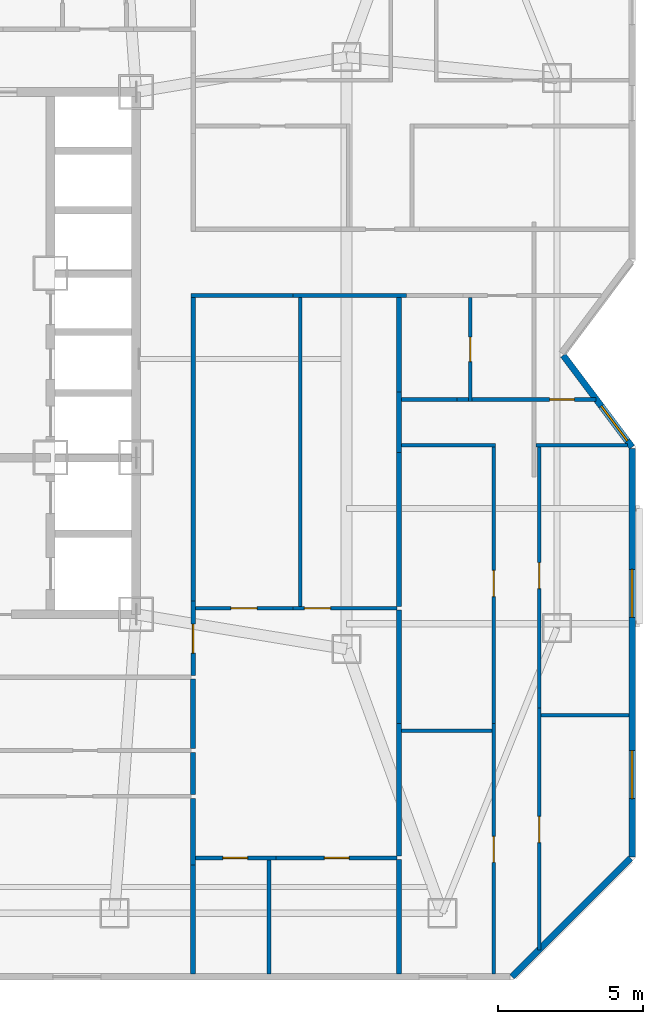
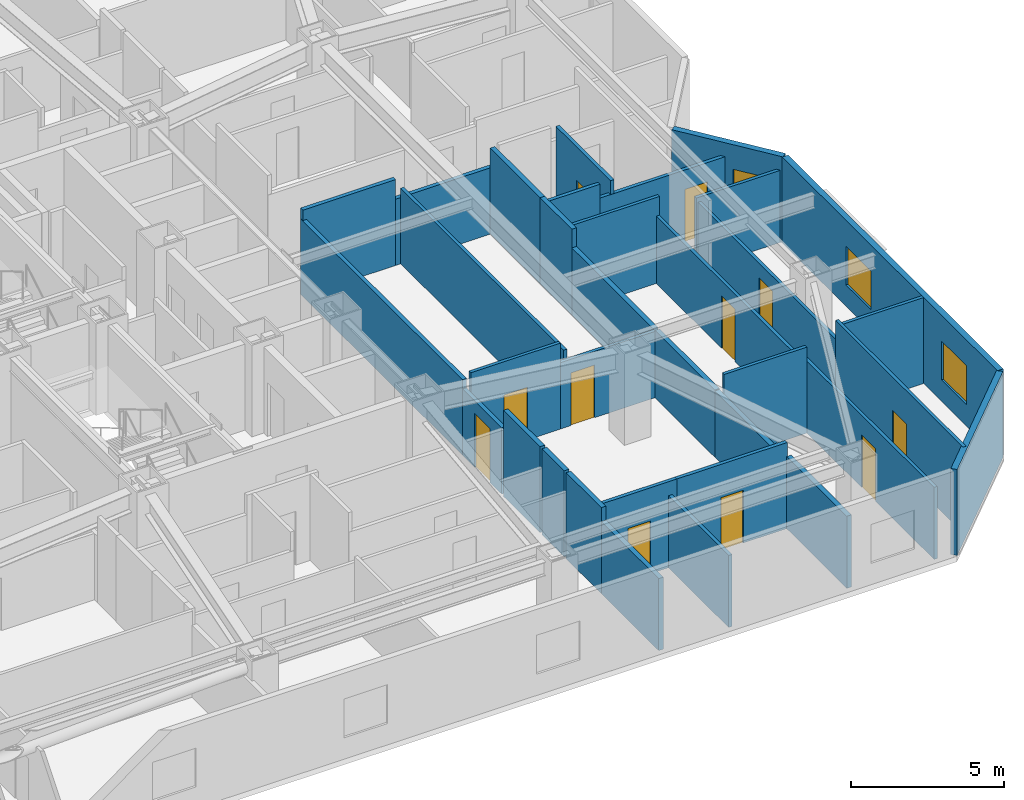
# One storey, part 14 of 19: 34 walls, 11 doors, 3 windows, 14 openings.
"""IFC4 building model written with IfcOpenShell, lengths in metres."""

from ifc_helpers import new_model, si_unit, direction, frame, frame_2d, origin, place, context, subcontext, project, spatial, rectangle, extrude, material, layer, layer_set, type_object, element, fill, save


model = new_model("IFC4")

# Units and contexts
model_context = context("Model", 3, precision=1e-05, world=origin(), true_north=direction((0.0, 1.0)))
body_context = subcontext(model_context, "Body", "Model", "MODEL_VIEW")
ifc_project = project(units=[si_unit("LENGTHUNIT", "METRE"), si_unit("AREAUNIT", "SQUARE_METRE"), si_unit("VOLUMEUNIT", "CUBIC_METRE"), si_unit("PLANEANGLEUNIT", "RADIAN"), si_unit("MASSUNIT", "GRAM", prefix="KILO")], contexts=[model_context])

# Site, building, storey
site_placement = place(None, origin())
site = spatial("IfcSite", under=ifc_project, at=site_placement, CompositionType="ELEMENT")
building_placement = place(site_placement, origin())
building = spatial("IfcBuilding", under=site, at=building_placement, Name="Khamvora Tower", CompositionType="ELEMENT")
storey_placement = place(building_placement, frame((0.0, 0.0, 120.14990234375)))
storey = spatial("IfcBuildingStorey", under=building, at=storey_placement, Name="L30", CompositionType="ELEMENT", Elevation=120.14990234375)

# Wall, opening, door
ifc_material_1 = material(Name="Fire-Rated Drywall and Steel Stud", Category="steel")
ifc_layer_1 = layer(ifc_material_1, 0.14990234375)
ifc_layer_set_1 = layer_set([ifc_layer_1], Name="Fire-Rated Drywall and Steel Stud")
wall_type_1 = type_object("IfcWallType", Name="WAL-CORR-150", PredefinedType="STANDARD", material=ifc_layer_set_1)
wall_1_placement = place(storey_placement, frame((41.364990234375, 19.458984375, 0.0), z_axis=(0.0, 0.0, 1.0), x_axis=(0.0, -1.0, 0.0)))
wall_1 = element("IfcWall", 1, at=wall_1_placement, inside=storey, type_object=wall_type_1, Name="L30 interior partition wall 030", PredefinedType="STANDARD", context=body_context, shape_type="SweptSolid", body=[
    extrude(rectangle(XDim=2.55908203125, YDim=0.14990234375, at=frame_2d((1.279541015625, 0.0))), origin(), (0.0, 0.0, 1.0), 2.647216796875),
])
opening_1_placement = place(wall_1_placement, frame((0.800048828125, 0.0, 0.0)))
opening_1 = element("IfcOpeningElement", 2, at=opening_1_placement, cuts=wall_1, Name="Opening D-U1", PredefinedType="OPENING", context=body_context, shape_type="SweptSolid", body=[
    extrude(rectangle(XDim=1.0, YDim=2.14990234375, at=frame_2d((0.5, 1.074951171875))), frame((0.0, 0.0849609375, 0.0), z_axis=(0.0, -1.0, 0.0), x_axis=(1.0, 0.0, 0.0)), (0.0, 0.0, 1.0), 0.169921875),
])
ifc_material_2 = material(Name="Powder-Coated Steel and Hardwood Leaf", Category="steel")
door_type_1 = type_object("IfcDoorType", Name="DOR-UNIT-1000", OperationType="NOTDEFINED", PredefinedType="DOOR", material=ifc_material_2)
door_1_placement = place(opening_1_placement, origin())
door_1 = element("IfcDoor", 3, at=door_1_placement, inside=storey, type_object=door_type_1, Name="L30 interior door COR-30EAH", OperationType="SINGLE_SWING_LEFT", OverallHeight=2.14990234375, OverallWidth=1.0, PredefinedType="DOOR", context=body_context, shape_type="SweptSolid", body=[
    extrude(rectangle(XDim=1.0, YDim=2.14990234375, at=frame_2d((0.5, 1.074951171875))), frame((0.0, 0.02490234375, 0.0), z_axis=(0.0, -1.0, 0.0), x_axis=(1.0, 0.0, 0.0)), (0.0, 0.0, 1.0), 0.050048828125),
])
fill(opening_1, door_1)

# Walls
wall_2_placement = place(storey_placement, frame((48.708984375, 29.985107421875, 0.0), z_axis=(0.0, 0.0, 1.0), x_axis=(-1.0, 0.0, 0.0)))
element("IfcWall", 4, at=wall_2_placement, inside=storey, type_object=wall_type_1, Name="L30 interior partition wall 031", PredefinedType="STANDARD", context=body_context, shape_type="SweptSolid", body=[
    extrude(rectangle(XDim=3.906005859375, YDim=0.14990234375, at=frame_2d((1.953125, 0.0))), origin(), (0.0, 0.0, 1.0), 2.647216796875),
])
wall_3_placement = place(storey_placement, frame((44.802978515625, 29.985107421875, 0.0), z_axis=(0.0, 0.0, 1.0), x_axis=(-1.0, 0.0, 0.0)))
element("IfcWall", 5, at=wall_3_placement, inside=storey, type_object=wall_type_1, Name="L30 interior partition wall 032", PredefinedType="STANDARD", context=body_context, shape_type="SweptSolid", body=[
    extrude(rectangle(XDim=3.5029296875, YDim=0.14990234375, at=frame_2d((1.75146484375, 0.0))), origin(), (0.0, 0.0, 1.0), 3.43017578125),
])
wall_4_placement = place(storey_placement, frame((41.364990234375, 30.050048828125, 0.0), z_axis=(0.0, 0.0, 1.0), x_axis=(0.0, -1.0, 0.0)))
element("IfcWall", 6, at=wall_4_placement, inside=storey, type_object=wall_type_1, Name="L30 interior partition wall 033", PredefinedType="STANDARD", context=body_context, shape_type="SweptSolid", body=[
    extrude(rectangle(XDim=10.591064453125, YDim=0.14990234375, at=frame_2d((5.29541015625, 0.0))), origin(), (0.0, 0.0, 1.0), 3.01318359375),
])
ifc_material_3 = material(Name="Acoustic Double-Stud Fire Wall", Category="gypsum")
ifc_layer_2 = layer(ifc_material_3, 0.179931640625)
ifc_layer_set_2 = layer_set([ifc_layer_2], Name="Acoustic Double-Stud Fire Wall")
wall_type_2 = type_object("IfcWallType", Name="WAL-CORR-180", PredefinedType="STANDARD", material=ifc_layer_set_2)
wall_5_placement = place(storey_placement, frame((41.364990234375, 14.239990234375, 0.0), z_axis=(0.0, 0.0, 1.0), x_axis=(0.0, -1.0, 0.0)))
element("IfcWall", 7, at=wall_5_placement, inside=storey, type_object=wall_type_2, Name="L30 interior partition wall 105", PredefinedType="STANDARD", context=body_context, shape_type="SweptSolid", body=[
    extrude(rectangle(XDim=1.449951171875, YDim=0.179931640625, at=frame_2d((0.72509765625, 0.0))), origin(), (0.0, 0.0, 1.0), 3.43017578125),
])
wall_6_placement = place(storey_placement, frame((41.364990234375, 16.77001953125, 0.0), z_axis=(0.0, 0.0, 1.0), x_axis=(0.0, -1.0, 0.0)))
element("IfcWall", 8, at=wall_6_placement, inside=storey, type_object=wall_type_2, Name="L30 interior partition wall 106", PredefinedType="STANDARD", context=body_context, shape_type="SweptSolid", body=[
    extrude(rectangle(XDim=2.39990234375, YDim=0.179931640625, at=frame_2d((1.199951171875, 0.0))), origin(), (0.0, 0.0, 1.0), 3.43017578125),
])
wall_7_placement = place(storey_placement, frame((41.364990234375, 12.659912109375, 0.0), z_axis=(0.0, 0.0, 1.0), x_axis=(0.0, -1.0, 0.0)))
element("IfcWall", 9, at=wall_7_placement, inside=storey, type_object=wall_type_2, Name="L30 interior partition wall 108", PredefinedType="STANDARD", context=body_context, shape_type="SweptSolid", body=[
    extrude(rectangle(XDim=2.298828125, YDim=0.179931640625, at=frame_2d((1.1494140625, 0.0))), origin(), (0.0, 0.0, 1.0), 3.43017578125),
])
wall_8_placement = place(storey_placement, frame((41.364990234375, 10.361083984375, 0.0), z_axis=(0.0, 0.0, 1.0), x_axis=(0.0, -1.0, 0.0)))
element("IfcWall", 10, at=wall_8_placement, inside=storey, type_object=wall_type_2, Name="L30 interior partition wall 109", PredefinedType="STANDARD", context=body_context, shape_type="SweptSolid", body=[
    extrude(rectangle(XDim=3.7490234375, YDim=0.179931640625, at=frame_2d((1.87451171875, 0.0))), origin(), (0.0, 0.0, 1.0), 2.8759765625),
])
wall_9_placement = place(storey_placement, frame((48.4599609375, 15.237060546875, 0.0), z_axis=(0.0, 0.0, 1.0), x_axis=(0.0, -1.0, 0.0)))
element("IfcWall", 11, at=wall_9_placement, inside=storey, type_object=wall_type_2, Name="L30 interior partition wall 122", PredefinedType="STANDARD", context=body_context, shape_type="SweptSolid", body=[
    extrude(rectangle(XDim=4.56201171875, YDim=0.179931640625, at=frame_2d((2.281005859375, 0.0))), origin(), (0.0, 0.0, 1.0), 2.647216796875),
])
wall_10_placement = place(storey_placement, frame((48.4599609375, 19.14501953125, 0.0), z_axis=(0.0, 0.0, 1.0), x_axis=(0.0, -1.0, 0.0)))
element("IfcWall", 12, at=wall_10_placement, inside=storey, type_object=wall_type_2, Name="L30 interior partition wall 123", PredefinedType="STANDARD", context=body_context, shape_type="SweptSolid", body=[
    extrude(rectangle(XDim=3.907958984375, YDim=0.179931640625, at=frame_2d((1.9541015625, 0.0))), origin(), (0.0, 0.0, 1.0), 2.68701171875),
])
wall_11_placement = place(storey_placement, frame((48.4599609375, 26.654052734375, 0.0), z_axis=(0.0, 0.0, 1.0), x_axis=(0.0, -1.0, 0.0)))
element("IfcWall", 13, at=wall_11_placement, inside=storey, type_object=wall_type_2, Name="L30 interior partition wall 125", PredefinedType="STANDARD", context=body_context, shape_type="SweptSolid", body=[
    extrude(rectangle(XDim=2.078125, YDim=0.179931640625, at=frame_2d((1.0390625, 0.0))), origin(), (0.0, 0.0, 1.0), 3.43017578125),
])
wall_12_placement = place(storey_placement, frame((48.4599609375, 29.91796875, 0.0), z_axis=(0.0, 0.0, 1.0), x_axis=(0.0, -1.0, 0.0)))
element("IfcWall", 14, at=wall_12_placement, inside=storey, type_object=wall_type_2, Name="L30 interior partition wall 126", PredefinedType="STANDARD", context=body_context, shape_type="SweptSolid", body=[
    extrude(rectangle(XDim=3.263916015625, YDim=0.179931640625, at=frame_2d((1.6318359375, 0.0))), origin(), (0.0, 0.0, 1.0), 3.43017578125),
])
wall_13_placement = place(storey_placement, frame((48.4599609375, 24.575927734375, 0.0), z_axis=(0.0, 0.0, 1.0), x_axis=(0.0, -1.0, 0.0)))
element("IfcWall", 15, at=wall_13_placement, inside=storey, type_object=wall_type_2, Name="L30 interior partition wall 127", PredefinedType="STANDARD", context=body_context, shape_type="SweptSolid", body=[
    extrude(rectangle(XDim=5.301025390625, YDim=0.179931640625, at=frame_2d((2.650390625, 0.0))), origin(), (0.0, 0.0, 1.0), 2.68701171875),
])
wall_14_placement = place(storey_placement, frame((48.4599609375, 10.544921875, 0.0), z_axis=(0.0, 0.0, 1.0), x_axis=(0.0, -1.0, 0.0)))
element("IfcWall", 16, at=wall_14_placement, inside=storey, type_object=wall_type_2, Name="L30 interior partition wall 129", PredefinedType="STANDARD", context=body_context, shape_type="SweptSolid", body=[
    extrude(rectangle(XDim=3.932861328125, YDim=0.179931640625, at=frame_2d((1.96630859375, 0.0))), origin(), (0.0, 0.0, 1.0), 2.8759765625),
])

# Wall, opening, window
ifc_material_4 = material(Name="Precast concrete C40/50", Category="concrete")
ifc_layer_3 = layer(ifc_material_4, 0.219970703125)
ifc_layer_set_3 = layer_set([ifc_layer_3], Name="Precast concrete C40/50")
wall_type_3 = type_object("IfcWallType", Name="WAL-EXT-220", PredefinedType="STANDARD", material=ifc_layer_set_3)
wall_15_placement = place(storey_placement, frame((54.118896484375, 27.924072265625, 0.0), z_axis=(0.0, 0.0, 1.0), x_axis=(0.600039540588, -0.799970343032, 0.0)))
wall_15 = element("IfcWall", 17, at=wall_15_placement, inside=storey, type_object=wall_type_3, Name="L30 exterior facade wall 11.1", PredefinedType="STANDARD", context=body_context, shape_type="SweptSolid", body=[
    extrude(rectangle(XDim=3.95166015625, YDim=0.219970703125, at=frame_2d((1.975830078125, 0.0))), origin(), (0.0, 0.0, 1.0), 3.43017578125),
])
opening_2_placement = place(wall_15_placement, frame((2.18408203125, 0.0, 0.85009765625)))
opening_2 = element("IfcOpeningElement", 18, at=opening_2_placement, cuts=wall_15, Name="Opening WN-02", PredefinedType="OPENING", context=body_context, shape_type="SweptSolid", body=[
    extrude(rectangle(XDim=1.5, YDim=1.60009765625, at=frame_2d((0.75, 0.800048828125))), frame((0.0, 0.119873046875, 0.0), z_axis=(0.0, -1.0, 0.0), x_axis=(1.0, 0.0, 0.0)), (0.0, 0.0, 1.0), 0.239990234375),
])
ifc_material_5 = material(Name="Low-E Laminated Double Glazing", Category="glass")
window_type_1 = type_object("IfcWindowType", Name="WIN-VIS-1500x1600", PartitioningType="SINGLE_PANEL", PredefinedType="WINDOW", material=ifc_material_5)
window_1_placement = place(opening_2_placement, origin())
window_1 = element("IfcWindow", 19, at=window_1_placement, inside=storey, type_object=window_type_1, Name="L30 vision window 11.1.01", OverallHeight=1.60009765625, OverallWidth=1.5, PartitioningType="SINGLE_PANEL", PredefinedType="WINDOW", context=body_context, shape_type="SweptSolid", body=[
    extrude(rectangle(XDim=1.5, YDim=1.60009765625, at=frame_2d((0.75, 0.800048828125))), frame((0.0, 0.030029296875, 0.0), z_axis=(0.0, -1.0, 0.0), x_axis=(1.0, 0.0, 0.0)), (0.0, 0.0, 1.0), 0.06005859375),
])
fill(opening_2, window_1)

# Wall, openings, windows
wall_16_placement = place(storey_placement, frame((56.489990234375, 24.70703125, 0.0), z_axis=(0.0, 0.0, 1.0), x_axis=(0.0, -1.0, 0.0)))
wall_16 = element("IfcWall", 20, at=wall_16_placement, inside=storey, type_object=wall_type_3, Name="L30 exterior facade wall 12.1", PredefinedType="STANDARD", context=body_context, shape_type="SweptSolid", body=[
    extrude(rectangle(XDim=14.06103515625, YDim=0.219970703125, at=frame_2d((7.030517578125, 0.0))), origin(), (0.0, 0.0, 1.0), 3.43017578125),
])
opening_3_placement = place(wall_16_placement, frame((10.404052734375, 0.0, 0.85009765625)))
opening_3 = element("IfcOpeningElement", 21, at=opening_3_placement, cuts=wall_16, Name="Opening WN-06", PredefinedType="OPENING", context=body_context, shape_type="SweptSolid", body=[
    extrude(rectangle(XDim=1.64990234375, YDim=1.550048828125, at=frame_2d((0.824951171875, 0.77490234375))), frame((0.0, 0.119873046875, 0.0), z_axis=(0.0, -1.0, 0.0), x_axis=(1.0, 0.0, 0.0)), (0.0, 0.0, 1.0), 0.239990234375),
])
opening_4_placement = place(wall_16_placement, frame((4.158935546875, 0.0, 0.85009765625)))
opening_4 = element("IfcOpeningElement", 22, at=opening_4_placement, cuts=wall_16, Name="Opening WN-06", PredefinedType="OPENING", context=body_context, shape_type="SweptSolid", body=[
    extrude(rectangle(XDim=1.64990234375, YDim=1.550048828125, at=frame_2d((0.824951171875, 0.77490234375))), frame((0.0, 0.119873046875, 0.0), z_axis=(0.0, -1.0, 0.0), x_axis=(1.0, 0.0, 0.0)), (0.0, 0.0, 1.0), 0.239990234375),
])
window_type_2 = type_object("IfcWindowType", Name="WIN-VIS-1650x1550", PartitioningType="SINGLE_PANEL", PredefinedType="WINDOW", material=ifc_material_5)
window_2_placement = place(opening_3_placement, origin())
window_2 = element("IfcWindow", 23, at=window_2_placement, inside=storey, type_object=window_type_2, Name="L30 vision window 12.1.01", OverallHeight=1.550048828125, OverallWidth=1.64990234375, PartitioningType="SINGLE_PANEL", PredefinedType="WINDOW", context=body_context, shape_type="SweptSolid", body=[
    extrude(rectangle(XDim=1.64990234375, YDim=1.550048828125, at=frame_2d((0.824951171875, 0.77490234375))), frame((0.0, 0.030029296875, 0.0), z_axis=(0.0, -1.0, 0.0), x_axis=(1.0, 0.0, 0.0)), (0.0, 0.0, 1.0), 0.06005859375),
])
fill(opening_3, window_2)
window_3_placement = place(opening_4_placement, origin())
window_3 = element("IfcWindow", 24, at=window_3_placement, inside=storey, type_object=window_type_2, Name="L30 vision window 12.1.02", OverallHeight=1.550048828125, OverallWidth=1.64990234375, PartitioningType="SINGLE_PANEL", PredefinedType="WINDOW", context=body_context, shape_type="SweptSolid", body=[
    extrude(rectangle(XDim=1.64990234375, YDim=1.550048828125, at=frame_2d((0.824951171875, 0.77490234375))), frame((0.0, 0.030029296875, 0.0), z_axis=(0.0, -1.0, 0.0), x_axis=(1.0, 0.0, 0.0)), (0.0, 0.0, 1.0), 0.06005859375),
])
fill(opening_4, window_3)

# Wall
wall_17_placement = place(storey_placement, frame((56.43994140625, 10.595947265625, 0.0), z_axis=(0.0, 0.0, 1.0), x_axis=(-0.707106781187, -0.707106781187, 0.0)))
element("IfcWall", 25, at=wall_17_placement, inside=storey, type_object=wall_type_3, Name="L30 exterior facade wall 13.1", PredefinedType="STANDARD", context=body_context, shape_type="SweptSolid", body=[
    extrude(rectangle(XDim=5.7783203125, YDim=0.219970703125, at=frame_2d((2.88916015625, 0.0))), origin(), (0.0, 0.0, 1.0), 3.43017578125),
])

# Wall, opening, door
ifc_material_6 = material(Name="Gypsum Plasterboard Partition", Category="gypsum")
ifc_layer_4 = layer(ifc_material_6, 0.1201171875)
ifc_layer_set_4 = layer_set([ifc_layer_4], Name="Gypsum Plasterboard Partition")
wall_type_4 = type_object("IfcWallType", Name="WAL-PART-120", PredefinedType="PARTITIONING", material=ifc_layer_set_4)
wall_18_placement = place(storey_placement, frame((44.802978515625, 19.2099609375, 0.0), z_axis=(0.0, 0.0, 1.0), x_axis=(1.0, 0.0, 0.0)))
wall_18 = element("IfcWall", 26, at=wall_18_placement, inside=storey, type_object=wall_type_4, Name="L30 interior partition wall 118", PredefinedType="PARTITIONING", context=body_context, shape_type="SweptSolid", body=[
    extrude(rectangle(XDim=3.592041015625, YDim=0.1201171875, at=frame_2d((1.7958984375, 0.0))), origin(), (0.0, 0.0, 1.0), 2.647216796875),
])
opening_5_placement = place(wall_18_placement, frame((0.39697265625, 0.0, 0.0)))
opening_5 = element("IfcOpeningElement", 27, at=opening_5_placement, cuts=wall_18, Name="Opening D-RM1", PredefinedType="OPENING", context=body_context, shape_type="SweptSolid", body=[
    extrude(rectangle(XDim=0.89990234375, YDim=2.10009765625, at=frame_2d((0.449951171875, 1.050048828125))), frame((0.0, 0.070068359375, 0.0), z_axis=(0.0, -1.0, 0.0), x_axis=(1.0, 0.0, 0.0)), (0.0, 0.0, 1.0), 0.14013671875),
])
door_type_2 = type_object("IfcDoorType", Name="DOR-ROOM-900", OperationType="NOTDEFINED", PredefinedType="DOOR", material=ifc_material_2)
door_2_placement = place(opening_5_placement, origin())
door_2 = element("IfcDoor", 28, at=door_2_placement, inside=storey, type_object=door_type_2, Name="L30 interior door 30EAH-30EAR2", OperationType="SINGLE_SWING_LEFT", OverallHeight=2.10009765625, OverallWidth=0.89990234375, PredefinedType="DOOR", context=body_context, shape_type="SweptSolid", body=[
    extrude(rectangle(XDim=0.89990234375, YDim=2.10009765625, at=frame_2d((0.449951171875, 1.050048828125))), frame((0.0, 0.02490234375, 0.0), z_axis=(0.0, -1.0, 0.0), x_axis=(1.0, 0.0, 0.0)), (0.0, 0.0, 1.0), 0.050048828125),
])
fill(opening_5, door_2)

wall_19_placement = place(storey_placement, frame((41.431884765625, 19.2099609375, 0.0), z_axis=(0.0, 0.0, 1.0), x_axis=(1.0, 0.0, 0.0)))
wall_19 = element("IfcWall", 29, at=wall_19_placement, inside=storey, type_object=wall_type_4, Name="L30 interior partition wall 121", PredefinedType="PARTITIONING", context=body_context, shape_type="SweptSolid", body=[
    extrude(rectangle(XDim=3.37109375, YDim=0.1201171875, at=frame_2d((1.685546875, 0.0))), origin(), (0.0, 0.0, 1.0), 3.43017578125),
])
opening_6_placement = place(wall_19_placement, frame((1.236083984375, 0.0, 0.0)))
opening_6 = element("IfcOpeningElement", 30, at=opening_6_placement, cuts=wall_19, Name="Opening D-RM1", PredefinedType="OPENING", context=body_context, shape_type="SweptSolid", body=[
    extrude(rectangle(XDim=0.89990234375, YDim=2.10009765625, at=frame_2d((0.449951171875, 1.050048828125))), frame((0.0, 0.070068359375, 0.0), z_axis=(0.0, -1.0, 0.0), x_axis=(1.0, 0.0, 0.0)), (0.0, 0.0, 1.0), 0.14013671875),
])
door_3_placement = place(opening_6_placement, origin())
door_3 = element("IfcDoor", 31, at=door_3_placement, inside=storey, type_object=door_type_2, Name="L30 interior door 30EAH-30EAR1", OperationType="SINGLE_SWING_RIGHT", OverallHeight=2.10009765625, OverallWidth=0.89990234375, PredefinedType="DOOR", context=body_context, shape_type="SweptSolid", body=[
    extrude(rectangle(XDim=0.89990234375, YDim=2.10009765625, at=frame_2d((0.449951171875, 1.050048828125))), frame((0.0, 0.02490234375, 0.0), z_axis=(0.0, -1.0, 0.0), x_axis=(1.0, 0.0, 0.0)), (0.0, 0.0, 1.0), 0.050048828125),
])
fill(opening_6, door_3)

# Wall
wall_20_placement = place(storey_placement, frame((45.052001953125, 19.263916015625, 0.0), z_axis=(0.0, 0.0, 1.0), x_axis=(0.0, 1.0, 0.0)))
element("IfcWall", 32, at=wall_20_placement, inside=storey, type_object=wall_type_4, Name="L30 interior partition wall 124", PredefinedType="PARTITIONING", context=body_context, shape_type="SweptSolid", body=[
    extrude(rectangle(XDim=10.654052734375, YDim=0.1201171875, at=frame_2d((5.3271484375, 0.0))), origin(), (0.0, 0.0, 1.0), 3.01318359375),
])

# Wall, opening, door
wall_21_placement = place(storey_placement, frame((51.722900390625, 6.612060546875, 0.0), z_axis=(0.0, 0.0, 1.0), x_axis=(0.0, 1.0, 0.0)))
wall_21 = element("IfcWall", 33, at=wall_21_placement, inside=storey, type_object=wall_type_4, Name="L30 interior partition wall 134", PredefinedType="PARTITIONING", context=body_context, shape_type="SweptSolid", body=[
    extrude(rectangle(XDim=8.625, YDim=0.1201171875, at=frame_2d((4.3125, 0.0))), origin(), (0.0, 0.0, 1.0), 2.8759765625),
])
opening_7_placement = place(wall_21_placement, frame((3.841064453125, 0.0, 0.0)))
opening_7 = element("IfcOpeningElement", 34, at=opening_7_placement, cuts=wall_21, Name="Opening D-RM1", PredefinedType="OPENING", context=body_context, shape_type="SweptSolid", body=[
    extrude(rectangle(XDim=0.89990234375, YDim=2.10009765625, at=frame_2d((0.449951171875, 1.050048828125))), frame((0.0, 0.070068359375, 0.0), z_axis=(0.0, -1.0, 0.0), x_axis=(1.0, 0.0, 0.0)), (0.0, 0.0, 1.0), 0.14013671875),
])
door_4_placement = place(opening_7_placement, origin())
door_4 = element("IfcDoor", 35, at=door_4_placement, inside=storey, type_object=door_type_2, Name="L30 interior door 30EBH-30EBL", OperationType="SINGLE_SWING_LEFT", OverallHeight=2.10009765625, OverallWidth=0.89990234375, PredefinedType="DOOR", context=body_context, shape_type="SweptSolid", body=[
    extrude(rectangle(XDim=0.89990234375, YDim=2.10009765625, at=frame_2d((0.449951171875, 1.050048828125))), frame((0.0, 0.02490234375, 0.0), z_axis=(0.0, -1.0, 0.0), x_axis=(1.0, 0.0, 0.0)), (0.0, 0.0, 1.0), 0.050048828125),
])
fill(opening_7, door_4)

wall_22_placement = place(storey_placement, frame((51.722900390625, 15.237060546875, 0.0), z_axis=(0.0, 0.0, 1.0), x_axis=(0.0, 1.0, 0.0)))
wall_22 = element("IfcWall", 36, at=wall_22_placement, inside=storey, type_object=wall_type_4, Name="L30 interior partition wall 135", PredefinedType="PARTITIONING", context=body_context, shape_type="SweptSolid", body=[
    extrude(rectangle(XDim=9.65283203125, YDim=0.1201171875, at=frame_2d((4.826416015625, 0.0))), origin(), (0.0, 0.0, 1.0), 2.68701171875),
])
opening_8_placement = place(wall_22_placement, frame((4.376953125, 0.0, 0.0)))
opening_8 = element("IfcOpeningElement", 37, at=opening_8_placement, cuts=wall_22, Name="Opening D-RM1", PredefinedType="OPENING", context=body_context, shape_type="SweptSolid", body=[
    extrude(rectangle(XDim=0.89990234375, YDim=2.10009765625, at=frame_2d((0.449951171875, 1.050048828125))), frame((0.0, 0.070068359375, 0.0), z_axis=(0.0, -1.0, 0.0), x_axis=(1.0, 0.0, 0.0)), (0.0, 0.0, 1.0), 0.14013671875),
])
door_5_placement = place(opening_8_placement, origin())
door_5 = element("IfcDoor", 38, at=door_5_placement, inside=storey, type_object=door_type_2, Name="L30 interior door 30EBH-30EBR2", OperationType="SINGLE_SWING_RIGHT", OverallHeight=2.10009765625, OverallWidth=0.89990234375, PredefinedType="DOOR", context=body_context, shape_type="SweptSolid", body=[
    extrude(rectangle(XDim=0.89990234375, YDim=2.10009765625, at=frame_2d((0.449951171875, 1.050048828125))), frame((0.0, 0.02490234375, 0.0), z_axis=(0.0, -1.0, 0.0), x_axis=(1.0, 0.0, 0.0)), (0.0, 0.0, 1.0), 0.050048828125),
])
fill(opening_8, door_5)

# Wall
wall_23_placement = place(storey_placement, frame((51.7880859375, 24.824951171875, 0.0), z_axis=(0.0, 0.0, 1.0), x_axis=(-1.0, 0.0, 0.0)))
element("IfcWall", 39, at=wall_23_placement, inside=storey, type_object=wall_type_4, Name="L30 interior partition wall 136", PredefinedType="PARTITIONING", context=body_context, shape_type="SweptSolid", body=[
    extrude(rectangle(XDim=3.24609375, YDim=0.1201171875, at=frame_2d((1.623046875, 0.0))), origin(), (0.0, 0.0, 1.0), 3.43017578125),
])

# Wall, opening, door
wall_24_placement = place(storey_placement, frame((53.2919921875, 15.77392578125, 0.0), z_axis=(0.0, 0.0, 1.0), x_axis=(0.0, -1.0, 0.0)))
wall_24 = element("IfcWall", 40, at=wall_24_placement, inside=storey, type_object=wall_type_4, Name="L30 interior partition wall 137", PredefinedType="PARTITIONING", context=body_context, shape_type="SweptSolid", body=[
    extrude(rectangle(XDim=8.3349609375, YDim=0.1201171875, at=frame_2d((4.16748046875, 0.0))), origin(), (0.0, 0.0, 1.0), 3.43017578125),
])
opening_9_placement = place(wall_24_placement, frame((3.739013671875, 0.0, 0.0)))
opening_9 = element("IfcOpeningElement", 41, at=opening_9_placement, cuts=wall_24, Name="Opening D-RM1", PredefinedType="OPENING", context=body_context, shape_type="SweptSolid", body=[
    extrude(rectangle(XDim=0.89990234375, YDim=2.10009765625, at=frame_2d((0.449951171875, 1.050048828125))), frame((0.0, 0.070068359375, 0.0), z_axis=(0.0, -1.0, 0.0), x_axis=(1.0, 0.0, 0.0)), (0.0, 0.0, 1.0), 0.14013671875),
])
door_6_placement = place(opening_9_placement, origin())
door_6 = element("IfcDoor", 42, at=door_6_placement, inside=storey, type_object=door_type_2, Name="L30 interior door 30EBH-30EBR3", OperationType="SINGLE_SWING_LEFT", OverallHeight=2.10009765625, OverallWidth=0.89990234375, PredefinedType="DOOR", context=body_context, shape_type="SweptSolid", body=[
    extrude(rectangle(XDim=0.89990234375, YDim=2.10009765625, at=frame_2d((0.449951171875, 1.050048828125))), frame((0.0, 0.02490234375, 0.0), z_axis=(0.0, -1.0, 0.0), x_axis=(1.0, 0.0, 0.0)), (0.0, 0.0, 1.0), 0.050048828125),
])
fill(opening_9, door_6)

# Wall
wall_25_placement = place(storey_placement, frame((56.33203125, 24.824951171875, 0.0), z_axis=(0.0, 0.0, 1.0), x_axis=(-1.0, 0.0, 0.0)))
element("IfcWall", 43, at=wall_25_placement, inside=storey, type_object=wall_type_4, Name="L30 interior partition wall 138", PredefinedType="PARTITIONING", context=body_context, shape_type="SweptSolid", body=[
    extrude(rectangle(XDim=3.156982421875, YDim=0.1201171875, at=frame_2d((1.57861328125, 0.0))), origin(), (0.0, 0.0, 1.0), 2.8759765625),
])

# Wall, opening, door
wall_26_placement = place(storey_placement, frame((53.2919921875, 24.889892578125, 0.0), z_axis=(0.0, 0.0, 1.0), x_axis=(0.0, -1.0, 0.0)))
wall_26 = element("IfcWall", 44, at=wall_26_placement, inside=storey, type_object=wall_type_4, Name="L30 interior partition wall 139", PredefinedType="PARTITIONING", context=body_context, shape_type="SweptSolid", body=[
    extrude(rectangle(XDim=9.115966796875, YDim=0.1201171875, at=frame_2d((4.55810546875, 0.0))), origin(), (0.0, 0.0, 1.0), 2.68701171875),
])
opening_10_placement = place(wall_26_placement, frame((4.10791015625, 0.0, 0.0)))
opening_10 = element("IfcOpeningElement", 45, at=opening_10_placement, cuts=wall_26, Name="Opening D-RM1", PredefinedType="OPENING", context=body_context, shape_type="SweptSolid", body=[
    extrude(rectangle(XDim=0.89990234375, YDim=2.10009765625, at=frame_2d((0.449951171875, 1.050048828125))), frame((0.0, 0.070068359375, 0.0), z_axis=(0.0, -1.0, 0.0), x_axis=(1.0, 0.0, 0.0)), (0.0, 0.0, 1.0), 0.14013671875),
])
door_7_placement = place(opening_10_placement, origin())
door_7 = element("IfcDoor", 46, at=door_7_placement, inside=storey, type_object=door_type_2, Name="L30 interior door 30EBH-30EBR4", OperationType="SINGLE_SWING_LEFT", OverallHeight=2.10009765625, OverallWidth=0.89990234375, PredefinedType="DOOR", context=body_context, shape_type="SweptSolid", body=[
    extrude(rectangle(XDim=0.89990234375, YDim=2.10009765625, at=frame_2d((0.449951171875, 1.050048828125))), frame((0.0, 0.02490234375, 0.0), z_axis=(0.0, -1.0, 0.0), x_axis=(1.0, 0.0, 0.0)), (0.0, 0.0, 1.0), 0.050048828125),
])
fill(opening_10, door_7)

# Walls
wall_27_placement = place(storey_placement, frame((48.5419921875, 14.987060546875, 0.0), z_axis=(0.0, 0.0, 1.0), x_axis=(1.0, 0.0, 0.0)))
element("IfcWall", 47, at=wall_27_placement, inside=storey, type_object=wall_type_4, Name="L30 interior partition wall 140", PredefinedType="PARTITIONING", context=body_context, shape_type="SweptSolid", body=[
    extrude(rectangle(XDim=3.126953125, YDim=0.1201171875, at=frame_2d((1.5634765625, 0.0))), origin(), (0.0, 0.0, 1.0), 3.43017578125),
])
wall_28_placement = place(storey_placement, frame((53.345947265625, 15.52490234375, 0.0), z_axis=(0.0, 0.0, 1.0), x_axis=(1.0, 0.0, 0.0)))
element("IfcWall", 48, at=wall_28_placement, inside=storey, type_object=wall_type_4, Name="L30 interior partition wall 141", PredefinedType="PARTITIONING", context=body_context, shape_type="SweptSolid", body=[
    extrude(rectangle(XDim=3.0419921875, YDim=0.1201171875, at=frame_2d((1.52099609375, 0.0))), origin(), (0.0, 0.0, 1.0), 3.43017578125),
])

# Wall, opening, door
ifc_material_7 = material(Name="Moisture-Resistant Plasterboard Partition", Category="gypsum")
ifc_layer_5 = layer(ifc_material_7, 0.135009765625)
ifc_layer_set_5 = layer_set([ifc_layer_5], Name="Moisture-Resistant Plasterboard Partition")
wall_type_5 = type_object("IfcWallType", Name="WAL-WET-135", PredefinedType="PARTITIONING", material=ifc_layer_set_5)
wall_29_placement = place(storey_placement, frame((44.22900390625, 10.610107421875, 0.0), z_axis=(0.0, 0.0, 1.0), x_axis=(-1.0, 0.0, 0.0)))
wall_29 = element("IfcWall", 49, at=wall_29_placement, inside=storey, type_object=wall_type_5, Name="L30 interior partition wall 119", PredefinedType="PARTITIONING", context=body_context, shape_type="SweptSolid", body=[
    extrude(rectangle(XDim=2.781982421875, YDim=0.135009765625, at=frame_2d((1.39111328125, 0.0))), origin(), (0.0, 0.0, 1.0), 3.43017578125),
])
opening_11_placement = place(wall_29_placement, frame((0.987060546875, 0.0, 0.0)))
opening_11 = element("IfcOpeningElement", 50, at=opening_11_placement, cuts=wall_29, Name="Opening D-WC1", PredefinedType="OPENING", context=body_context, shape_type="SweptSolid", body=[
    extrude(rectangle(XDim=0.85009765625, YDim=2.10009765625, at=frame_2d((0.425048828125, 1.050048828125))), frame((0.0, 0.077392578125, 0.0), z_axis=(0.0, -1.0, 0.0), x_axis=(1.0, 0.0, 0.0)), (0.0, 0.0, 1.0), 0.155029296875),
])
door_type_3 = type_object("IfcDoorType", Name="DOR-WET-850", OperationType="NOTDEFINED", PredefinedType="DOOR", material=ifc_material_2)
door_8_placement = place(opening_11_placement, origin())
door_8 = element("IfcDoor", 51, at=door_8_placement, inside=storey, type_object=door_type_3, Name="L30 interior door 30EAH-30EAB", OperationType="SINGLE_SWING_RIGHT", OverallHeight=2.10009765625, OverallWidth=0.85009765625, PredefinedType="DOOR", context=body_context, shape_type="SweptSolid", body=[
    extrude(rectangle(XDim=0.85009765625, YDim=2.10009765625, at=frame_2d((0.425048828125, 1.050048828125))), frame((0.0, 0.02490234375, 0.0), z_axis=(0.0, -1.0, 0.0), x_axis=(1.0, 0.0, 0.0)), (0.0, 0.0, 1.0), 0.050048828125),
])
fill(opening_11, door_8)

wall_30_placement = place(storey_placement, frame((48.39501953125, 10.610107421875, 0.0), z_axis=(0.0, 0.0, 1.0), x_axis=(-1.0, 0.0, 0.0)))
wall_30 = element("IfcWall", 52, at=wall_30_placement, inside=storey, type_object=wall_type_5, Name="L30 interior partition wall 120", PredefinedType="PARTITIONING", context=body_context, shape_type="SweptSolid", body=[
    extrude(rectangle(XDim=4.166015625, YDim=0.135009765625, at=frame_2d((2.0830078125, 0.0))), origin(), (0.0, 0.0, 1.0), 3.43017578125),
])
opening_12_placement = place(wall_30_placement, frame((1.657958984375, 0.0, 0.0)))
opening_12 = element("IfcOpeningElement", 53, at=opening_12_placement, cuts=wall_30, Name="Opening D-RM2", PredefinedType="OPENING", context=body_context, shape_type="SweptSolid", body=[
    extrude(rectangle(XDim=0.85009765625, YDim=2.10009765625, at=frame_2d((0.425048828125, 1.050048828125))), frame((0.0, 0.077392578125, 0.0), z_axis=(0.0, -1.0, 0.0), x_axis=(1.0, 0.0, 0.0)), (0.0, 0.0, 1.0), 0.155029296875),
])
door_type_4 = type_object("IfcDoorType", Name="DOR-ROOM-850", OperationType="NOTDEFINED", PredefinedType="DOOR", material=ifc_material_2)
door_9_placement = place(opening_12_placement, origin())
door_9 = element("IfcDoor", 54, at=door_9_placement, inside=storey, type_object=door_type_4, Name="L30 interior door 30EAH-30EAK", OperationType="SINGLE_SWING_LEFT", OverallHeight=2.10009765625, OverallWidth=0.85009765625, PredefinedType="DOOR", context=body_context, shape_type="SweptSolid", body=[
    extrude(rectangle(XDim=0.85009765625, YDim=2.10009765625, at=frame_2d((0.425048828125, 1.050048828125))), frame((0.0, 0.02490234375, 0.0), z_axis=(0.0, -1.0, 0.0), x_axis=(1.0, 0.0, 0.0)), (0.0, 0.0, 1.0), 0.050048828125),
])
fill(opening_12, door_9)

# Wall
wall_31_placement = place(storey_placement, frame((43.97998046875, 10.548095703125, 0.0), z_axis=(0.0, 0.0, 1.0), x_axis=(0.0, -1.0, 0.0)))
element("IfcWall", 55, at=wall_31_placement, inside=storey, type_object=wall_type_5, Name="L30 interior partition wall 128", PredefinedType="PARTITIONING", context=body_context, shape_type="SweptSolid", body=[
    extrude(rectangle(XDim=3.93603515625, YDim=0.135009765625, at=frame_2d((1.968017578125, 0.0))), origin(), (0.0, 0.0, 1.0), 2.8759765625),
])

# Wall, opening, door
wall_32_placement = place(storey_placement, frame((50.448974609375, 26.405029296875, 0.0), z_axis=(0.0, 0.0, 1.0), x_axis=(1.0, 0.0, 0.0)))
wall_32 = element("IfcWall", 56, at=wall_32_placement, inside=storey, type_object=wall_type_5, Name="L30 interior partition wall 131", PredefinedType="PARTITIONING", context=body_context, shape_type="SweptSolid", body=[
    extrude(rectangle(XDim=4.794921875, YDim=0.135009765625, at=frame_2d((2.3974609375, 0.0))), origin(), (0.0, 0.0, 1.0), 2.8759765625),
])
opening_13_placement = place(wall_32_placement, frame((3.201904296875, 0.0, 0.0)))
opening_13 = element("IfcOpeningElement", 57, at=opening_13_placement, cuts=wall_32, Name="Opening D-WC1", PredefinedType="OPENING", context=body_context, shape_type="SweptSolid", body=[
    extrude(rectangle(XDim=0.85009765625, YDim=2.10009765625, at=frame_2d((0.425048828125, 1.050048828125))), frame((0.0, 0.077392578125, 0.0), z_axis=(0.0, -1.0, 0.0), x_axis=(1.0, 0.0, 0.0)), (0.0, 0.0, 1.0), 0.155029296875),
])
door_10_placement = place(opening_13_placement, origin())
door_10 = element("IfcDoor", 58, at=door_10_placement, inside=storey, type_object=door_type_3, Name="L30 interior door 30EBH-30EBB", OperationType="SINGLE_SWING_LEFT", OverallHeight=2.10009765625, OverallWidth=0.85009765625, PredefinedType="DOOR", context=body_context, shape_type="SweptSolid", body=[
    extrude(rectangle(XDim=0.85009765625, YDim=2.10009765625, at=frame_2d((0.425048828125, 1.050048828125))), frame((0.0, 0.02490234375, 0.0), z_axis=(0.0, -1.0, 0.0), x_axis=(1.0, 0.0, 0.0)), (0.0, 0.0, 1.0), 0.050048828125),
])
fill(opening_13, door_10)

# Wall
wall_33_placement = place(storey_placement, frame((48.5419921875, 26.405029296875, 0.0), z_axis=(0.0, 0.0, 1.0), x_axis=(1.0, 0.0, 0.0)))
element("IfcWall", 59, at=wall_33_placement, inside=storey, type_object=wall_type_5, Name="L30 interior partition wall 132", PredefinedType="PARTITIONING", context=body_context, shape_type="SweptSolid", body=[
    extrude(rectangle(XDim=1.906982421875, YDim=0.135009765625, at=frame_2d((0.95361328125, 0.0))), origin(), (0.0, 0.0, 1.0), 3.43017578125),
])

# Wall, opening, door
wall_34_placement = place(storey_placement, frame((50.9140625, 26.340087890625, 0.0), z_axis=(0.0, 0.0, 1.0), x_axis=(0.0, 1.0, 0.0)))
wall_34 = element("IfcWall", 60, at=wall_34_placement, inside=storey, type_object=wall_type_5, Name="L30 interior partition wall 133", PredefinedType="PARTITIONING", context=body_context, shape_type="SweptSolid", body=[
    extrude(rectangle(XDim=3.577880859375, YDim=0.135009765625, at=frame_2d((1.7890625, 0.0))), origin(), (0.0, 0.0, 1.0), 3.43017578125),
])
opening_14_placement = place(wall_34_placement, frame((1.364013671875, 0.0, 0.0)))
opening_14 = element("IfcOpeningElement", 61, at=opening_14_placement, cuts=wall_34, Name="Opening D-RM2", PredefinedType="OPENING", context=body_context, shape_type="SweptSolid", body=[
    extrude(rectangle(XDim=0.85009765625, YDim=2.10009765625, at=frame_2d((0.425048828125, 1.050048828125))), frame((0.0, 0.077392578125, 0.0), z_axis=(0.0, -1.0, 0.0), x_axis=(1.0, 0.0, 0.0)), (0.0, 0.0, 1.0), 0.155029296875),
])
door_11_placement = place(opening_14_placement, origin())
door_11 = element("IfcDoor", 62, at=door_11_placement, inside=storey, type_object=door_type_4, Name="L30 interior door 30EBH-30EBK", OperationType="SINGLE_SWING_RIGHT", OverallHeight=2.10009765625, OverallWidth=0.85009765625, PredefinedType="DOOR", context=body_context, shape_type="SweptSolid", body=[
    extrude(rectangle(XDim=0.85009765625, YDim=2.10009765625, at=frame_2d((0.425048828125, 1.050048828125))), frame((0.0, 0.02490234375, 0.0), z_axis=(0.0, -1.0, 0.0), x_axis=(1.0, 0.0, 0.0)), (0.0, 0.0, 1.0), 0.050048828125),
])
fill(opening_14, door_11)

save(model, "model.ifc")
